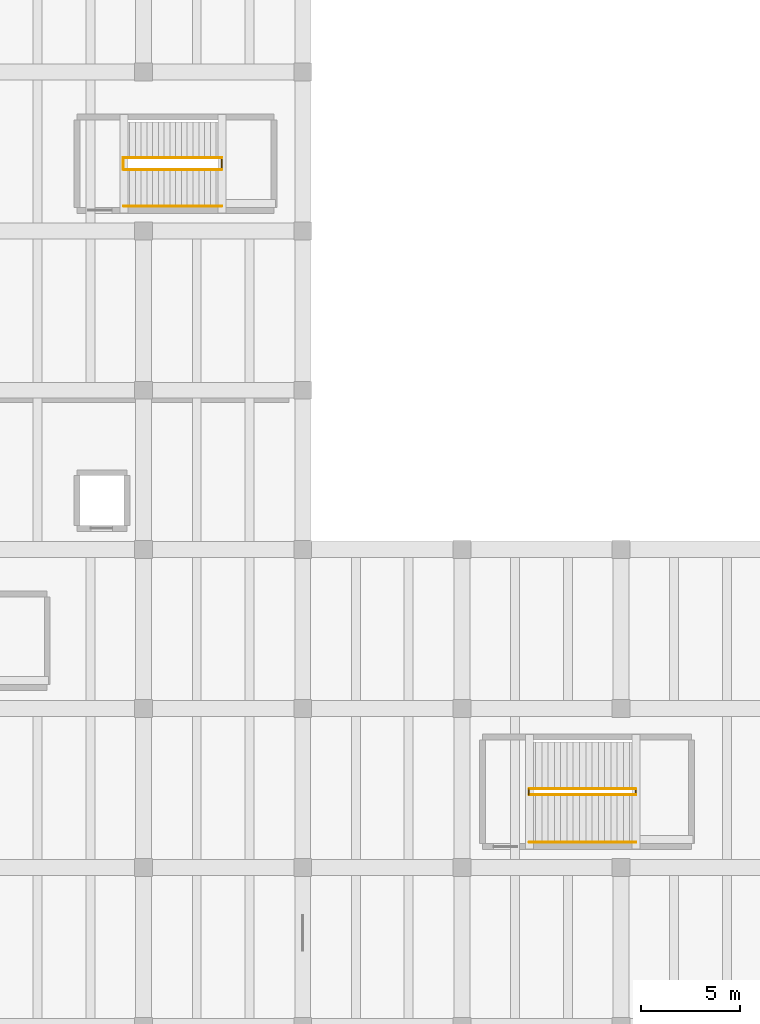
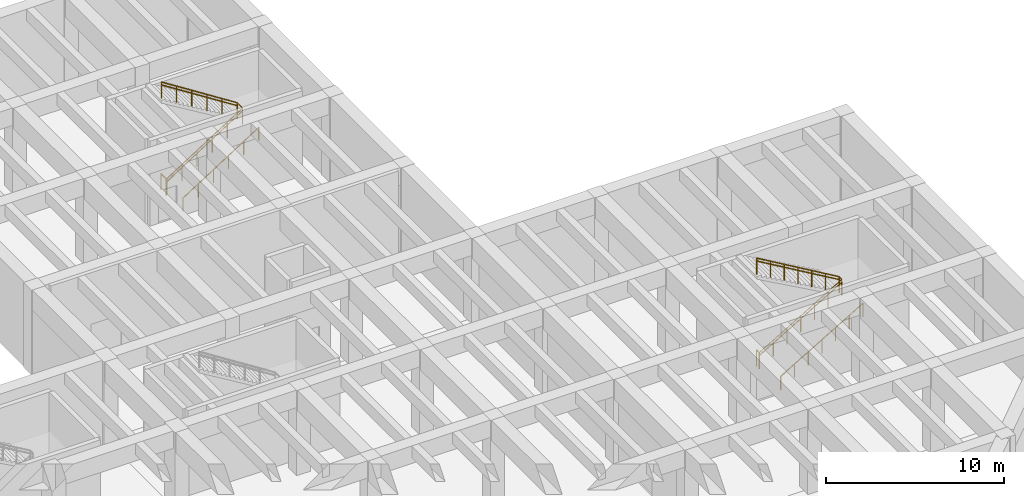
# One storey, part 23 of 24: 12 railings.
"""IFC4 building model written with IfcOpenShell, lengths in metres."""

from ifc_helpers import new_model, si_unit, direction, frame, origin, origin_2d, place, context, subcontext, project, spatial, circle, extrude, material, type_object, element, save


model = new_model("IFC4")

# Units and contexts
model_context = context("Model", 3, precision=1e-05, world=origin(), true_north=direction((0.0, 1.0)))
body_context = subcontext(model_context, "Body", "Model", "MODEL_VIEW")
ifc_project = project(units=[si_unit("LENGTHUNIT", "METRE"), si_unit("AREAUNIT", "SQUARE_METRE"), si_unit("VOLUMEUNIT", "CUBIC_METRE"), si_unit("PLANEANGLEUNIT", "RADIAN"), si_unit("MASSUNIT", "GRAM", prefix="KILO")], contexts=[model_context])

# Site, building, storey
site_placement = place(None, origin())
site = spatial("IfcSite", under=ifc_project, at=site_placement, CompositionType="ELEMENT")
building_placement = place(site_placement, origin())
building = spatial("IfcBuilding", under=site, at=building_placement, Name="Varnela Railside Interchange", CompositionType="ELEMENT")
storey_placement = place(building_placement, frame((0.0, 0.0, -6.300048828125)))
storey = spatial("IfcBuildingStorey", under=building, at=storey_placement, Name="B1", CompositionType="ELEMENT", Elevation=-6.300048828125)

# Railings
ifc_material = material(Name="Steel AR 350 (350 MPa)", Category="steel")
railing_type_1 = type_object("IfcRailingType", Name="Stair & Ramp Pitch Handrail HR-01", PredefinedType="HANDRAIL", material=ifc_material)
railing_1_placement = place(storey_placement, frame((131.0, 81.10009765625, 0.0)))
element("IfcRailing", 1, at=railing_1_placement, inside=storey, type_object=railing_type_1, Name="Stair Handrail ST-E2 Flight 1 (RL-0141)", PredefinedType="HANDRAIL", context=body_context, shape_type="SweptSolid", body=[
    extrude(circle(Radius=0.02392578125, at=origin_2d()), frame((0.0, 0.0, 0.89599609375), z_axis=(0.842659969685, 0.0, 0.538446074821), x_axis=(0.0, 1.0, 0.0)), (0.0, 0.0, 1.0), 5.850341796875),
    extrude(circle(Radius=0.02099609375, at=origin_2d()), origin(), (0.0, 0.0, 1.0), 0.871826171875),
    extrude(circle(Radius=0.02099609375, at=origin_2d()), frame((0.986083984375, 0.0, 0.630126953125)), (0.0, 0.0, 1.0), 0.871826171875),
    extrude(circle(Radius=0.02099609375, at=origin_2d()), frame((1.971923828125, 0.0, 1.260009765625)), (0.0, 0.0, 1.0), 0.871826171875),
    extrude(circle(Radius=0.02099609375, at=origin_2d()), frame((2.9580078125, 0.0, 1.89013671875)), (0.0, 0.0, 1.0), 0.871826171875),
    extrude(circle(Radius=0.02099609375, at=origin_2d()), frame((3.94384765625, 0.0, 2.52001953125)), (0.0, 0.0, 1.0), 0.871826171875),
    extrude(circle(Radius=0.02099609375, at=origin_2d()), frame((4.929931640625, 0.0, 3.150146484375)), (0.0, 0.0, 1.0), 0.871826171875),
])
railing_2_placement = place(storey_placement, frame((135.929931640625, 81.699951171875, 3.150146484375)))
element("IfcRailing", 2, at=railing_2_placement, inside=storey, type_object=railing_type_1, Name="Stair Handrail ST-E2 Flight 2 (RL-0142)", PredefinedType="HANDRAIL", context=body_context, shape_type="SweptSolid", body=[
    extrude(circle(Radius=0.02392578125, at=origin_2d()), frame((0.0, 0.0, 0.89599609375), z_axis=(-0.842678903752, 0.0, 0.538416442144), x_axis=(0.0, -1.0, 0.0)), (0.0, 0.0, 1.0), 5.850341796875),
    extrude(circle(Radius=0.02099609375, at=origin_2d()), origin(), (0.0, 0.0, 1.0), 0.871826171875),
    extrude(circle(Radius=0.02099609375, at=origin_2d()), frame((-0.986083984375, 0.0, 0.6298828125)), (0.0, 0.0, 1.0), 0.871826171875),
    extrude(circle(Radius=0.02099609375, at=origin_2d()), frame((-1.971923828125, 0.0, 1.260009765625)), (0.0, 0.0, 1.0), 0.871826171875),
    extrude(circle(Radius=0.02099609375, at=origin_2d()), frame((-2.9580078125, 0.0, 1.889892578125)), (0.0, 0.0, 1.0), 0.871826171875),
    extrude(circle(Radius=0.02099609375, at=origin_2d()), frame((-3.94384765625, 0.0, 2.52001953125)), (0.0, 0.0, 1.0), 0.871826171875),
    extrude(circle(Radius=0.02099609375, at=origin_2d()), frame((-4.929931640625, 0.0, 3.14990234375)), (0.0, 0.0, 1.0), 0.871826171875),
])
railing_3_placement = place(storey_placement, frame((151.39990234375, 49.64990234375, 0.0)))
element("IfcRailing", 3, at=railing_3_placement, inside=storey, type_object=railing_type_1, Name="Stair Handrail ST-E3 Flight 1 (RL-0143)", PredefinedType="HANDRAIL", context=body_context, shape_type="SweptSolid", body=[
    extrude(circle(Radius=0.02392578125, at=origin_2d()), frame((0.0, 0.0, 0.89599609375), z_axis=(0.861923102912, 0.0, 0.507039016908), x_axis=(0.0, 1.0, 0.0)), (0.0, 0.0, 1.0), 6.212890625),
    extrude(circle(Radius=0.02099609375, at=origin_2d()), origin(), (0.0, 0.0, 1.0), 0.871826171875),
    extrude(circle(Radius=0.02099609375, at=origin_2d()), frame((0.892578125, 0.0, 0.52490234375)), (0.0, 0.0, 1.0), 0.871826171875),
    extrude(circle(Radius=0.02099609375, at=origin_2d()), frame((1.784912109375, 0.0, 1.050048828125)), (0.0, 0.0, 1.0), 0.871826171875),
    extrude(circle(Radius=0.02099609375, at=origin_2d()), frame((2.677490234375, 0.0, 1.5751953125)), (0.0, 0.0, 1.0), 0.871826171875),
    extrude(circle(Radius=0.02099609375, at=origin_2d()), frame((3.570068359375, 0.0, 2.10009765625)), (0.0, 0.0, 1.0), 0.871826171875),
    extrude(circle(Radius=0.02099609375, at=origin_2d()), frame((4.46240234375, 0.0, 2.625)), (0.0, 0.0, 1.0), 0.871826171875),
    extrude(circle(Radius=0.02099609375, at=origin_2d()), frame((5.35498046875, 0.0, 3.150146484375)), (0.0, 0.0, 1.0), 0.871826171875),
])
railing_4_placement = place(storey_placement, frame((156.7548828125, 49.949951171875, 3.150146484375)))
element("IfcRailing", 4, at=railing_4_placement, inside=storey, type_object=railing_type_1, Name="Stair Handrail ST-E3 Flight 2 (RL-0144)", PredefinedType="HANDRAIL", context=body_context, shape_type="SweptSolid", body=[
    extrude(circle(Radius=0.02392578125, at=origin_2d()), frame((0.0, 0.0, 0.89599609375), z_axis=(-0.861940276329, 0.0, 0.507009822431), x_axis=(0.0, -1.0, 0.0)), (0.0, 0.0, 1.0), 6.212646484375),
    extrude(circle(Radius=0.02099609375, at=origin_2d()), origin(), (0.0, 0.0, 1.0), 0.871826171875),
    extrude(circle(Radius=0.02099609375, at=origin_2d()), frame((-0.892578125, 0.0, 0.52490234375)), (0.0, 0.0, 1.0), 0.871826171875),
    extrude(circle(Radius=0.02099609375, at=origin_2d()), frame((-1.784912109375, 0.0, 1.050048828125)), (0.0, 0.0, 1.0), 0.871826171875),
    extrude(circle(Radius=0.02099609375, at=origin_2d()), frame((-2.677490234375, 0.0, 1.574951171875)), (0.0, 0.0, 1.0), 0.871826171875),
    extrude(circle(Radius=0.02099609375, at=origin_2d()), frame((-3.570068359375, 0.0, 2.099853515625)), (0.0, 0.0, 1.0), 0.871826171875),
    extrude(circle(Radius=0.02099609375, at=origin_2d()), frame((-4.46240234375, 0.0, 2.625)), (0.0, 0.0, 1.0), 0.871826171875),
    extrude(circle(Radius=0.02099609375, at=origin_2d()), frame((-5.35498046875, 0.0, 3.14990234375)), (0.0, 0.0, 1.0), 0.871826171875),
])
railing_type_2 = type_object("IfcRailingType", Name="Stair Well & Landing Guard GR-02", PredefinedType="GUARDRAIL", material=ifc_material)
railing_5_placement = place(storey_placement, frame((130.969970703125, 81.10009765625, 0.0)))
element("IfcRailing", 5, at=railing_5_placement, inside=storey, type_object=railing_type_2, Name="Stair Well Slot Guard ST-E2 on B1 (RL-0097)", PredefinedType="GUARDRAIL", context=body_context, shape_type="SweptSolid", body=[
    extrude(circle(Radius=0.02392578125, at=origin_2d()), frame((0.0, 0.0, 1.09619140625), z_axis=(0.0, 1.0, 0.0), x_axis=(-1.0, 0.0, 0.0)), (0.0, 0.0, 1.0), 0.599853515625),
    extrude(circle(Radius=0.02099609375, at=origin_2d()), origin(), (0.0, 0.0, 1.0), 1.072021484375),
    extrude(circle(Radius=0.02099609375, at=origin_2d()), frame((0.0, 0.599853515625, 0.0)), (0.0, 0.0, 1.0), 1.072021484375),
])
railing_6_placement = place(storey_placement, frame((131.0, 81.10009765625, 0.0)))
element("IfcRailing", 6, at=railing_6_placement, inside=storey, type_object=railing_type_2, Name="Stair Guard ST-E2 Half-Landing (RL-0095)", PredefinedType="GUARDRAIL", context=body_context, shape_type="SweptSolid", body=[
    extrude(circle(Radius=0.02392578125, at=origin_2d()), frame((0.0, 0.0, 1.09619140625), z_axis=(0.842659969685, 0.0, 0.538446074821), x_axis=(0.0, 1.0, 0.0)), (0.0, 0.0, 1.0), 5.850341796875),
    extrude(circle(Radius=0.02392578125, at=origin_2d()), frame((4.929931640625, 0.0, 4.24609375), z_axis=(0.0, 1.0, 0.0), x_axis=(-1.0, 0.0, 0.0)), (0.0, 0.0, 1.0), 0.599853515625),
    extrude(circle(Radius=0.02099609375, at=origin_2d()), origin(), (0.0, 0.0, 1.0), 1.072021484375),
    extrude(circle(Radius=0.02099609375, at=origin_2d()), frame((0.986083984375, 0.0, 0.630126953125)), (0.0, 0.0, 1.0), 1.072021484375),
    extrude(circle(Radius=0.02099609375, at=origin_2d()), frame((1.971923828125, 0.0, 1.260009765625)), (0.0, 0.0, 1.0), 1.072021484375),
    extrude(circle(Radius=0.02099609375, at=origin_2d()), frame((2.9580078125, 0.0, 1.89013671875)), (0.0, 0.0, 1.0), 1.072021484375),
    extrude(circle(Radius=0.02099609375, at=origin_2d()), frame((3.94384765625, 0.0, 2.52001953125)), (0.0, 0.0, 1.0), 1.072021484375),
    extrude(circle(Radius=0.02099609375, at=origin_2d()), frame((4.929931640625, 0.0, 3.150146484375)), (0.0, 0.0, 1.0), 1.072021484375),
    extrude(circle(Radius=0.02099609375, at=origin_2d()), frame((4.929931640625, 0.599853515625, 3.150146484375)), (0.0, 0.0, 1.0), 1.072021484375),
])
railing_7_placement = place(storey_placement, frame((135.929931640625, 81.699951171875, 3.150146484375)))
element("IfcRailing", 7, at=railing_7_placement, inside=storey, type_object=railing_type_2, Name="Stair Guard ST-E2 Upper Flight (RL-0096)", PredefinedType="GUARDRAIL", context=body_context, shape_type="SweptSolid", body=[
    extrude(circle(Radius=0.02392578125, at=origin_2d()), frame((0.0, 0.0, 1.09619140625), z_axis=(-0.842678903752, 0.0, 0.538416442144), x_axis=(0.0, -1.0, 0.0)), (0.0, 0.0, 1.0), 5.850341796875),
    extrude(circle(Radius=0.02099609375, at=origin_2d()), origin(), (0.0, 0.0, 1.0), 1.072021484375),
    extrude(circle(Radius=0.02099609375, at=origin_2d()), frame((-0.986083984375, 0.0, 0.6298828125)), (0.0, 0.0, 1.0), 1.072021484375),
    extrude(circle(Radius=0.02099609375, at=origin_2d()), frame((-1.971923828125, 0.0, 1.260009765625)), (0.0, 0.0, 1.0), 1.072021484375),
    extrude(circle(Radius=0.02099609375, at=origin_2d()), frame((-2.9580078125, 0.0, 1.889892578125)), (0.0, 0.0, 1.0), 1.072021484375),
    extrude(circle(Radius=0.02099609375, at=origin_2d()), frame((-3.94384765625, 0.0, 2.52001953125)), (0.0, 0.0, 1.0), 1.072021484375),
    extrude(circle(Radius=0.02099609375, at=origin_2d()), frame((-4.929931640625, 0.0, 3.14990234375)), (0.0, 0.0, 1.0), 1.072021484375),
])
railing_8_placement = place(storey_placement, frame((151.3701171875, 49.64990234375, 0.0)))
element("IfcRailing", 8, at=railing_8_placement, inside=storey, type_object=railing_type_2, Name="Stair Well Slot Guard ST-E3 on B1 (RL-0100)", PredefinedType="GUARDRAIL", context=body_context, shape_type="SweptSolid", body=[
    extrude(circle(Radius=0.02392578125, at=origin_2d()), frame((0.0, 0.0, 1.09619140625), z_axis=(0.0, 1.0, 0.0), x_axis=(-1.0, 0.0, 0.0)), (0.0, 0.0, 1.0), 0.300048828125),
    extrude(circle(Radius=0.02099609375, at=origin_2d()), origin(), (0.0, 0.0, 1.0), 1.072021484375),
    extrude(circle(Radius=0.02099609375, at=origin_2d()), frame((0.0, 0.300048828125, 0.0)), (0.0, 0.0, 1.0), 1.072021484375),
])
railing_9_placement = place(storey_placement, frame((151.39990234375, 49.64990234375, 0.0)))
element("IfcRailing", 9, at=railing_9_placement, inside=storey, type_object=railing_type_2, Name="Stair Guard ST-E3 Half-Landing (RL-0098)", PredefinedType="GUARDRAIL", context=body_context, shape_type="SweptSolid", body=[
    extrude(circle(Radius=0.02392578125, at=origin_2d()), frame((0.0, 0.0, 1.09619140625), z_axis=(0.861923102912, 0.0, 0.507039016908), x_axis=(0.0, 1.0, 0.0)), (0.0, 0.0, 1.0), 6.212890625),
    extrude(circle(Radius=0.02392578125, at=origin_2d()), frame((5.35498046875, 0.0, 4.24609375), z_axis=(0.0, 1.0, 0.0), x_axis=(-1.0, 0.0, 0.0)), (0.0, 0.0, 1.0), 0.300048828125),
    extrude(circle(Radius=0.02099609375, at=origin_2d()), origin(), (0.0, 0.0, 1.0), 1.072021484375),
    extrude(circle(Radius=0.02099609375, at=origin_2d()), frame((0.892578125, 0.0, 0.52490234375)), (0.0, 0.0, 1.0), 1.072021484375),
    extrude(circle(Radius=0.02099609375, at=origin_2d()), frame((1.784912109375, 0.0, 1.050048828125)), (0.0, 0.0, 1.0), 1.072021484375),
    extrude(circle(Radius=0.02099609375, at=origin_2d()), frame((2.677490234375, 0.0, 1.5751953125)), (0.0, 0.0, 1.0), 1.072021484375),
    extrude(circle(Radius=0.02099609375, at=origin_2d()), frame((3.570068359375, 0.0, 2.10009765625)), (0.0, 0.0, 1.0), 1.072021484375),
    extrude(circle(Radius=0.02099609375, at=origin_2d()), frame((4.46240234375, 0.0, 2.625)), (0.0, 0.0, 1.0), 1.072021484375),
    extrude(circle(Radius=0.02099609375, at=origin_2d()), frame((5.35498046875, 0.0, 3.150146484375)), (0.0, 0.0, 1.0), 1.072021484375),
    extrude(circle(Radius=0.02099609375, at=origin_2d()), frame((5.35498046875, 0.300048828125, 3.150146484375)), (0.0, 0.0, 1.0), 1.072021484375),
])
railing_10_placement = place(storey_placement, frame((156.7548828125, 49.949951171875, 3.150146484375)))
element("IfcRailing", 10, at=railing_10_placement, inside=storey, type_object=railing_type_2, Name="Stair Guard ST-E3 Upper Flight (RL-0099)", PredefinedType="GUARDRAIL", context=body_context, shape_type="SweptSolid", body=[
    extrude(circle(Radius=0.02392578125, at=origin_2d()), frame((0.0, 0.0, 1.09619140625), z_axis=(-0.861940276329, 0.0, 0.507009822431), x_axis=(0.0, -1.0, 0.0)), (0.0, 0.0, 1.0), 6.212646484375),
    extrude(circle(Radius=0.02099609375, at=origin_2d()), origin(), (0.0, 0.0, 1.0), 1.072021484375),
    extrude(circle(Radius=0.02099609375, at=origin_2d()), frame((-0.892578125, 0.0, 0.52490234375)), (0.0, 0.0, 1.0), 1.072021484375),
    extrude(circle(Radius=0.02099609375, at=origin_2d()), frame((-1.784912109375, 0.0, 1.050048828125)), (0.0, 0.0, 1.0), 1.072021484375),
    extrude(circle(Radius=0.02099609375, at=origin_2d()), frame((-2.677490234375, 0.0, 1.574951171875)), (0.0, 0.0, 1.0), 1.072021484375),
    extrude(circle(Radius=0.02099609375, at=origin_2d()), frame((-3.570068359375, 0.0, 2.099853515625)), (0.0, 0.0, 1.0), 1.072021484375),
    extrude(circle(Radius=0.02099609375, at=origin_2d()), frame((-4.46240234375, 0.0, 2.625)), (0.0, 0.0, 1.0), 1.072021484375),
    extrude(circle(Radius=0.02099609375, at=origin_2d()), frame((-5.35498046875, 0.0, 3.14990234375)), (0.0, 0.0, 1.0), 1.072021484375),
])
railing_type_3 = type_object("IfcRailingType", Name="Wall-Mounted Stair Handrail HR-02", PredefinedType="HANDRAIL", material=ifc_material)
railing_11_placement = place(storey_placement, frame((131.0, 79.260009765625, 0.0)))
element("IfcRailing", 11, at=railing_11_placement, inside=storey, type_object=railing_type_3, Name="Wall Handrail ST-E2 Flight 1 (RL-0164)", PredefinedType="HANDRAIL", context=body_context, shape_type="SweptSolid", body=[
    extrude(circle(Radius=0.02392578125, at=origin_2d()), frame((0.0, 0.0, 0.89599609375), z_axis=(0.842659969685, 0.0, 0.538446074821), x_axis=(0.0, 1.0, 0.0)), (0.0, 0.0, 1.0), 5.850341796875),
    extrude(circle(Radius=0.02099609375, at=origin_2d()), origin(), (0.0, 0.0, 1.0), 0.871826171875),
    extrude(circle(Radius=0.02099609375, at=origin_2d()), frame((0.986083984375, 0.0, 0.630126953125)), (0.0, 0.0, 1.0), 0.871826171875),
    extrude(circle(Radius=0.02099609375, at=origin_2d()), frame((1.971923828125, 0.0, 1.260009765625)), (0.0, 0.0, 1.0), 0.871826171875),
    extrude(circle(Radius=0.02099609375, at=origin_2d()), frame((2.9580078125, 0.0, 1.89013671875)), (0.0, 0.0, 1.0), 0.871826171875),
    extrude(circle(Radius=0.02099609375, at=origin_2d()), frame((3.94384765625, 0.0, 2.52001953125)), (0.0, 0.0, 1.0), 0.871826171875),
    extrude(circle(Radius=0.02099609375, at=origin_2d()), frame((4.929931640625, 0.0, 3.150146484375)), (0.0, 0.0, 1.0), 0.871826171875),
])
railing_12_placement = place(storey_placement, frame((151.39990234375, 47.260009765625, 0.0)))
element("IfcRailing", 12, at=railing_12_placement, inside=storey, type_object=railing_type_3, Name="Wall Handrail ST-E3 Flight 1 (RL-0165)", PredefinedType="HANDRAIL", context=body_context, shape_type="SweptSolid", body=[
    extrude(circle(Radius=0.02392578125, at=origin_2d()), frame((0.0, 0.0, 0.89599609375), z_axis=(0.861923102912, 0.0, 0.507039016908), x_axis=(0.0, 1.0, 0.0)), (0.0, 0.0, 1.0), 6.212890625),
    extrude(circle(Radius=0.02099609375, at=origin_2d()), origin(), (0.0, 0.0, 1.0), 0.871826171875),
    extrude(circle(Radius=0.02099609375, at=origin_2d()), frame((0.892578125, 0.0, 0.52490234375)), (0.0, 0.0, 1.0), 0.871826171875),
    extrude(circle(Radius=0.02099609375, at=origin_2d()), frame((1.784912109375, 0.0, 1.050048828125)), (0.0, 0.0, 1.0), 0.871826171875),
    extrude(circle(Radius=0.02099609375, at=origin_2d()), frame((2.677490234375, 0.0, 1.5751953125)), (0.0, 0.0, 1.0), 0.871826171875),
    extrude(circle(Radius=0.02099609375, at=origin_2d()), frame((3.570068359375, 0.0, 2.10009765625)), (0.0, 0.0, 1.0), 0.871826171875),
    extrude(circle(Radius=0.02099609375, at=origin_2d()), frame((4.46240234375, 0.0, 2.625)), (0.0, 0.0, 1.0), 0.871826171875),
    extrude(circle(Radius=0.02099609375, at=origin_2d()), frame((5.35498046875, 0.0, 3.150146484375)), (0.0, 0.0, 1.0), 0.871826171875),
])

save(model, "model.ifc")
